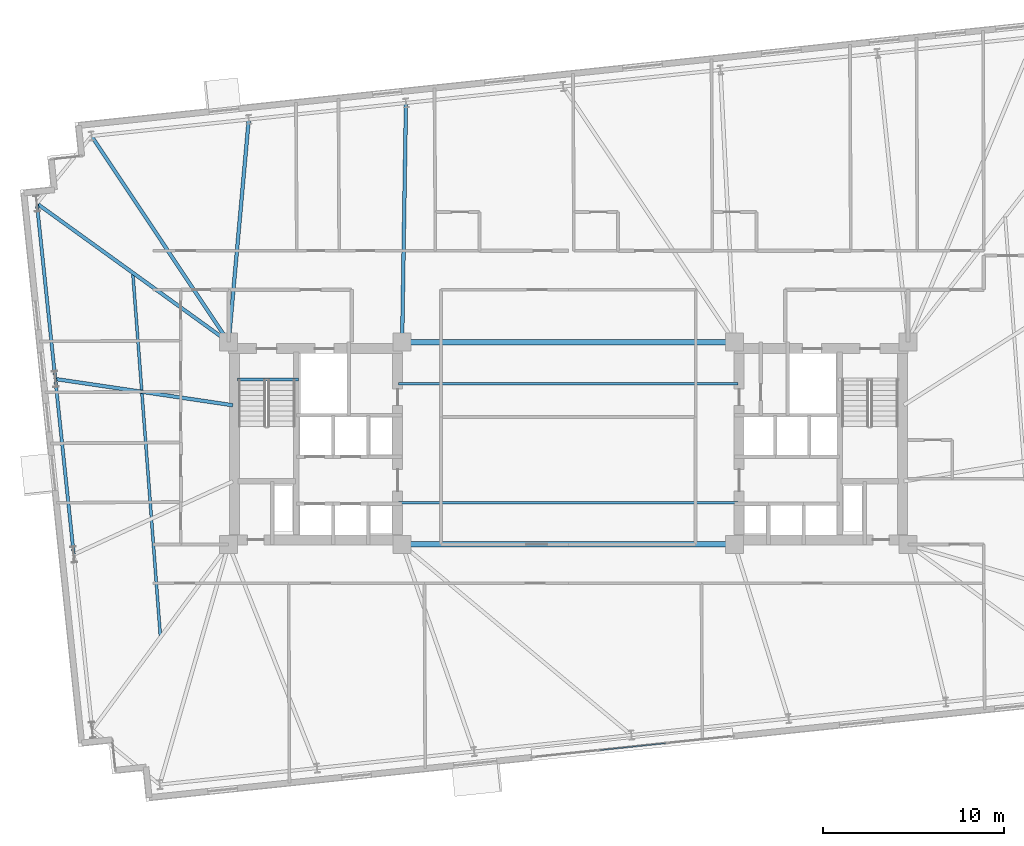
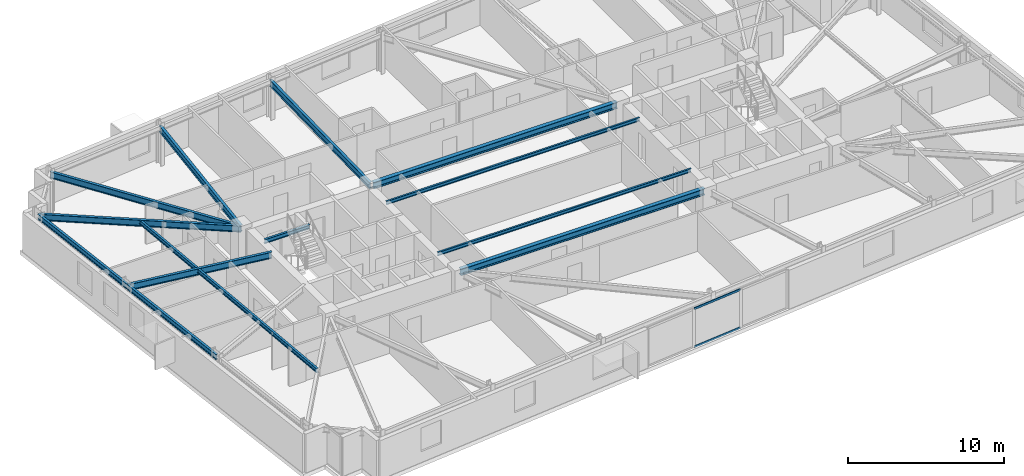
# One storey, part 7 of 22: 13 beams, 2 members, 1 element without a shape of its own.
"""IFC4 building model written with IfcOpenShell, lengths in metres."""

from ifc_helpers import new_model, si_unit, direction, frame, origin, origin_2d, place, context, subcontext, project, spatial, hollow_rectangle, i_section, extrude, material, layer, layer_set, material_profile, profile_set, type_object, element, aggregate, save


model = new_model("IFC4")

# Units and contexts
model_context = context("Model", 3, precision=1e-05, world=origin(), true_north=direction((0.0, 1.0)))
body_context = subcontext(model_context, "Body", "Model", "MODEL_VIEW")
ifc_project = project(units=[si_unit("LENGTHUNIT", "METRE"), si_unit("AREAUNIT", "SQUARE_METRE"), si_unit("VOLUMEUNIT", "CUBIC_METRE"), si_unit("PLANEANGLEUNIT", "RADIAN"), si_unit("MASSUNIT", "GRAM", prefix="KILO")], contexts=[model_context])

# Site, building, storey
site_placement = place(None, origin())
site = spatial("IfcSite", under=ifc_project, at=site_placement, CompositionType="ELEMENT")
building_placement = place(site_placement, origin())
building = spatial("IfcBuilding", under=site, at=building_placement, Name="Qobustan Lattice House", CompositionType="ELEMENT")
storey_placement = place(building_placement, frame((0.0, 0.0, 99.10009765625)))
storey = spatial("IfcBuildingStorey", under=building, at=storey_placement, Name="L27", CompositionType="ELEMENT", Elevation=99.10009765625)

# Beams
ifc_material_1 = material(Name="Steel S355", Category="steel")
ifc_material_profile_1 = material_profile(ifc_material_1, i_section(OverallWidth=0.300048828125, OverallDepth=0.5, WebThickness=0.014404296875, FlangeThickness=0.028076171875, FilletRadius=0.027099609375, at=origin_2d()), Name="HEB500")
ifc_profile_set_1 = profile_set([ifc_material_profile_1], Name="Steel S355")
beam_type_1 = type_object("IfcBeamType", Name="BM-CG-HEB500", PredefinedType="USERDEFINED", material=ifc_profile_set_1)
for number, where, z_axis, x_axis, name in (
    (1, (-9.050048828125, -5.60009765625, 2.794921875), (1.0, 0.0, 0.0), (0.0, 1.0, 0.0), "L27 core spine girder CG-CS"),
    (2, (-9.050048828125, 5.60009765625, 2.794921875), (1.0, 0.0, 0.0), (0.0, 1.0, 0.0), "L27 core spine girder CG-CN"),
):
    element("IfcBeam", number, at=place(storey_placement, frame(where, z_axis=z_axis, x_axis=x_axis)), inside=storey, type_object=beam_type_1, Name=name, ObjectType="GIRDER", PredefinedType="USERDEFINED", context=body_context, shape_type="SweptSolid", body=[
        extrude(i_section(OverallWidth=0.300048828125, OverallDepth=0.5, WebThickness=0.014404296875, FlangeThickness=0.028076171875, FilletRadius=0.027099609375, at=origin_2d()), origin(), (0.0, 0.0, 1.0), 18.10009765625),
    ])
ifc_material_2 = material(Name="Steel S355", Category="steel")
ifc_material_profile_2 = material_profile(ifc_material_2, i_section(OverallWidth=0.199951171875, OverallDepth=0.5, WebThickness=0.01025390625, FlangeThickness=0.01611328125, FilletRadius=0.02099609375, at=origin_2d()), Name="IPE500")
ifc_profile_set_2 = profile_set([ifc_material_profile_2], Name="Steel S355")
beam_type_2 = type_object("IfcBeamType", Name="BM-FLG-IPE500", PredefinedType="USERDEFINED", material=ifc_profile_set_2)
beam_1_placement = place(storey_placement, frame((-26.37890625, 16.986328125, 2.794921875), z_axis=(0.5540893103, -0.832457227857, 0.0), x_axis=(0.832457227857, 0.5540893103, 0.0)))
element("IfcBeam", 3, at=beam_1_placement, inside=storey, type_object=beam_type_2, Name="L27 primary floor girder RAD-N7W", ObjectType="GIRDER", PredefinedType="USERDEFINED", context=body_context, shape_type="SweptSolid", body=[
    extrude(i_section(OverallWidth=0.199951171875, OverallDepth=0.5, WebThickness=0.01025390625, FlangeThickness=0.01611328125, FilletRadius=0.02099609375, at=origin_2d()), origin(), (0.0, 0.0, 1.0), 13.65283203125),
])
beam_2_placement = place(storey_placement, frame((-17.693115234375, 17.89697265625, 2.794921875), z_axis=(-0.089658533603, -0.995972563554, 0.0), x_axis=(0.995972563554, -0.089658533603, 0.0)))
element("IfcBeam", 4, at=beam_2_placement, inside=storey, type_object=beam_type_2, Name="L27 primary floor girder RAD-N6", ObjectType="GIRDER", PredefinedType="USERDEFINED", context=body_context, shape_type="SweptSolid", body=[
    extrude(i_section(OverallWidth=0.199951171875, OverallDepth=0.5, WebThickness=0.01025390625, FlangeThickness=0.01611328125, FilletRadius=0.02099609375, at=origin_2d()), origin(), (0.0, 0.0, 1.0), 12.321533203125),
])
beam_3_placement = place(storey_placement, frame((-8.9892578125, 18.8115234375, 2.794921875), z_axis=(-0.015957384359, -0.999872672836, 0.0), x_axis=(0.999872672836, -0.015957384359, 0.0)))
element("IfcBeam", 5, at=beam_3_placement, inside=storey, type_object=beam_type_2, Name="L27 primary floor girder RAD-N5", ObjectType="GIRDER", PredefinedType="USERDEFINED", context=body_context, shape_type="SweptSolid", body=[
    extrude(i_section(OverallWidth=0.199951171875, OverallDepth=0.5, WebThickness=0.01025390625, FlangeThickness=0.01611328125, FilletRadius=0.02099609375, at=origin_2d()), origin(), (0.0, 0.0, 1.0), 13.188232421875),
])
beam_4_placement = place(storey_placement, frame((-29.398681640625, 13.255859375, 2.794921875), z_axis=(0.810627425394, -0.585562274399, 0.0), x_axis=(0.585562274399, 0.810627425394, 0.0)))
element("IfcBeam", 6, at=beam_4_placement, inside=storey, type_object=beam_type_2, Name="L27 primary floor girder RAD-W1", ObjectType="GIRDER", PredefinedType="USERDEFINED", context=body_context, shape_type="SweptSolid", body=[
    extrude(i_section(OverallWidth=0.199951171875, OverallDepth=0.5, WebThickness=0.01025390625, FlangeThickness=0.01611328125, FilletRadius=0.02099609375, at=origin_2d()), origin(), (0.0, 0.0, 1.0), 13.049560546875),
])
beam_5_placement = place(storey_placement, frame((-28.373291015625, 3.5537109375, 2.794921875), z_axis=(0.989228195022, -0.146381618294, 0.0), x_axis=(0.146381618294, 0.989228195022, 0.0)))
element("IfcBeam", 7, at=beam_5_placement, inside=storey, type_object=beam_type_2, Name="L27 primary floor girder RAD-W2", ObjectType="GIRDER", PredefinedType="USERDEFINED", context=body_context, shape_type="SweptSolid", body=[
    extrude(i_section(OverallWidth=0.199951171875, OverallDepth=0.5, WebThickness=0.01025390625, FlangeThickness=0.01611328125, FilletRadius=0.02099609375, at=origin_2d()), origin(), (0.0, 0.0, 1.0), 9.9052734375),
])
ifc_material_3 = material(Name="Steel S355", Category="steel")
ifc_material_profile_3 = material_profile(ifc_material_3, i_section(OverallWidth=0.135009765625, OverallDepth=0.27001953125, WebThickness=0.006591796875, FlangeThickness=0.01025390625, FilletRadius=0.014892578125, at=origin_2d()), Name="IPE270")
ifc_profile_set_3 = profile_set([ifc_material_profile_3], Name="Steel S355")
beam_type_3 = type_object("IfcBeamType", Name="BM-JST-IPE270", PredefinedType="JOIST", material=ifc_profile_set_3)
for number, where, z_axis, x_axis, name in (
    (8, (-9.39990234375, -3.300048828125, 2.909912109375), (1.0, 0.0, 0.0), (0.0, 1.0, 0.0), "L27 central span floor joist 1"),
    (9, (-9.39990234375, 3.300048828125, 2.909912109375), (1.0, 0.0, 0.0), (0.0, 1.0, 0.0), "L27 central span floor joist 2"),
):
    element("IfcBeam", number, at=place(storey_placement, frame(where, z_axis=z_axis, x_axis=x_axis)), inside=storey, type_object=beam_type_3, Name=name, PredefinedType="JOIST", context=body_context, shape_type="SweptSolid", body=[
        extrude(i_section(OverallWidth=0.135009765625, OverallDepth=0.27001953125, WebThickness=0.006591796875, FlangeThickness=0.01025390625, FilletRadius=0.014892578125, at=origin_2d()), origin(), (0.0, 0.0, 1.0), 18.7998046875),
    ])
ifc_material_4 = material(Name="Steel S355", Category="steel")
ifc_material_profile_4 = material_profile(ifc_material_4, i_section(OverallWidth=0.159912109375, OverallDepth=0.330078125, WebThickness=0.007568359375, FlangeThickness=0.011474609375, FilletRadius=0.01806640625, at=origin_2d()), Name="IPE330")
ifc_profile_set_4 = profile_set([ifc_material_profile_4], Name="Steel S355")
beam_type_4 = type_object("IfcBeamType", Name="BM-SEC-IPE330", PredefinedType="BEAM", material=ifc_profile_set_4)
beam_6_placement = place(storey_placement, frame((-24.109619140625, 9.435302734375, 2.8798828125), z_axis=(0.07571166528, -0.997129752711, 0.0), x_axis=(0.997129752711, 0.07571166528, 0.0)))
element("IfcBeam", 10, at=beam_6_placement, inside=storey, type_object=beam_type_4, Name="L27 west wing secondary beam", PredefinedType="BEAM", context=body_context, shape_type="SweptSolid", body=[
    extrude(i_section(OverallWidth=0.159912109375, OverallDepth=0.330078125, WebThickness=0.007568359375, FlangeThickness=0.011474609375, FilletRadius=0.01806640625, at=origin_2d()), origin(), (0.0, 0.0, 1.0), 20.22802734375),
])
ifc_material_5 = material(Name="Steel S355", Category="steel")
ifc_material_profile_5 = material_profile(ifc_material_5, i_section(OverallWidth=0.159912109375, OverallDepth=0.330078125, WebThickness=0.007568359375, FlangeThickness=0.011474609375, FilletRadius=0.01806640625, at=origin_2d()), Name="IPE330")
ifc_profile_set_5 = profile_set([ifc_material_profile_5], Name="Steel S355")
beam_type_5 = type_object("IfcBeamType", Name="BM-SPD-IPE330", PredefinedType="SPANDREL", material=ifc_profile_set_5)
beam_7_placement = place(storey_placement, frame((-18.300048828125, 3.52001953125, 2.8798828125), z_axis=(1.0, 0.0, 0.0), x_axis=(0.0, 1.0, 0.0)))
element("IfcBeam", 11, at=beam_7_placement, inside=storey, type_object=beam_type_5, Name="L27 west stair landing trimmer beam", PredefinedType="SPANDREL", context=body_context, shape_type="SweptSolid", body=[
    extrude(i_section(OverallWidth=0.159912109375, OverallDepth=0.330078125, WebThickness=0.007568359375, FlangeThickness=0.011474609375, FilletRadius=0.01806640625, at=origin_2d()), origin(), (0.0, 0.0, 1.0), 3.35009765625),
])
ifc_material_6 = material(Name="Steel S355", Category="steel")
ifc_material_profile_6 = material_profile(ifc_material_6, i_section(OverallWidth=0.179931640625, OverallDepth=0.39990234375, WebThickness=0.008544921875, FlangeThickness=0.013427734375, FilletRadius=0.02099609375, at=origin_2d()), Name="IPE400")
ifc_profile_set_6 = profile_set([ifc_material_profile_6], Name="Steel S355")
beam_type_6 = type_object("IfcBeamType", Name="BM-SPD-IPE400", PredefinedType="SPANDREL", material=ifc_profile_set_6)
beam_8_placement = place(storey_placement, frame((-29.416259765625, 13.24560546875, 2.844970703125), z_axis=(0.104525214252, -0.994522236848, 0.0), x_axis=(0.994522236848, 0.104525214252, 0.0)))
element("IfcBeam", 12, at=beam_8_placement, inside=storey, type_object=beam_type_6, Name="L27 perimeter spandrel W1-W2", PredefinedType="SPANDREL", context=body_context, shape_type="SweptSolid", body=[
    extrude(i_section(OverallWidth=0.179931640625, OverallDepth=0.39990234375, WebThickness=0.008544921875, FlangeThickness=0.013427734375, FilletRadius=0.02099609375, at=origin_2d()), origin(), (0.0, 0.0, 1.0), 9.716552734375),
])
beam_9_placement = place(storey_placement, frame((-28.3955078125, 3.532470703125, 2.844970703125), z_axis=(0.104547453407, -0.994519899241, 0.0), x_axis=(0.994519899241, 0.104547453407, 0.0)))
element("IfcBeam", 13, at=beam_9_placement, inside=storey, type_object=beam_type_6, Name="L27 perimeter spandrel W2-W3", PredefinedType="SPANDREL", context=body_context, shape_type="SweptSolid", body=[
    extrude(i_section(OverallWidth=0.179931640625, OverallDepth=0.39990234375, WebThickness=0.008544921875, FlangeThickness=0.013427734375, FilletRadius=0.02099609375, at=origin_2d()), origin(), (0.0, 0.0, 1.0), 9.716796875),
])

# Curtain wall, members
ifc_material_7 = material(Name="Anodised aluminium and low-E glazing", Category="aluminium")
ifc_layer = layer(ifc_material_7, 0.219970703125)
ifc_layer_set = layer_set([ifc_layer], Name="Anodised aluminium and low-E glazing")
curtain_wall_type = type_object("IfcCurtainWallType", Name="CW-IWN-01", PredefinedType="USERDEFINED", material=ifc_layer_set)
curtain_wall_placement = place(storey_placement, origin())
curtain_wall = element("IfcCurtainWall", 14, at=curtain_wall_placement, inside=storey, type_object=curtain_wall_type, Name="L27 IWAN-2 walnut-lined iwan curtain wall", ObjectType="CURTAIN WALL", PredefinedType="USERDEFINED")
ifc_material_8 = material(Name="Anodised aluminium EN AW-6063 T6", Category="aluminium")
ifc_material_profile_7 = material_profile(ifc_material_8, hollow_rectangle(XDim=0.06494140625, YDim=0.159912109375, WallThickness=0.00390625, at=origin_2d()), Name="CWT-160x65")
ifc_profile_set_7 = profile_set([ifc_material_profile_7], Name="Anodised aluminium EN AW-6063 T6")
member_type = type_object("IfcMemberType", Name="CWT-HOR-160", PredefinedType="USERDEFINED", material=ifc_profile_set_7)
member_1_placement = place(storey_placement, frame((5.371337890625, -16.606689453125, 0.032470703125), z_axis=(-0.994523015384, -0.104517806482, 0.0), x_axis=(0.104517806482, -0.994523015384, 0.0)))
member_1 = element("IfcMember", 15, at=member_1_placement, type_object=member_type, Name="CW-IW transom 2.1", ObjectType="TRANSOM", PredefinedType="USERDEFINED", context=body_context, shape_type="SweptSolid", body=[
    extrude(hollow_rectangle(XDim=0.06494140625, YDim=0.159912109375, WallThickness=0.00390625, at=origin_2d()), origin(), (0.0, 0.0, 1.0), 3.6533203125),
])
member_2_placement = place(storey_placement, frame((5.371337890625, -16.606689453125, 3.012451171875), z_axis=(-0.994523015384, -0.104517806482, 0.0), x_axis=(0.104517806482, -0.994523015384, 0.0)))
member_2 = element("IfcMember", 16, at=member_2_placement, type_object=member_type, Name="CW-IW transom 2.2", ObjectType="TRANSOM", PredefinedType="USERDEFINED", context=body_context, shape_type="SweptSolid", body=[
    extrude(hollow_rectangle(XDim=0.06494140625, YDim=0.159912109375, WallThickness=0.00390625, at=origin_2d()), origin(), (0.0, 0.0, 1.0), 3.6533203125),
])
aggregate(curtain_wall, [member_1, member_2])

save(model, "model.ifc")
